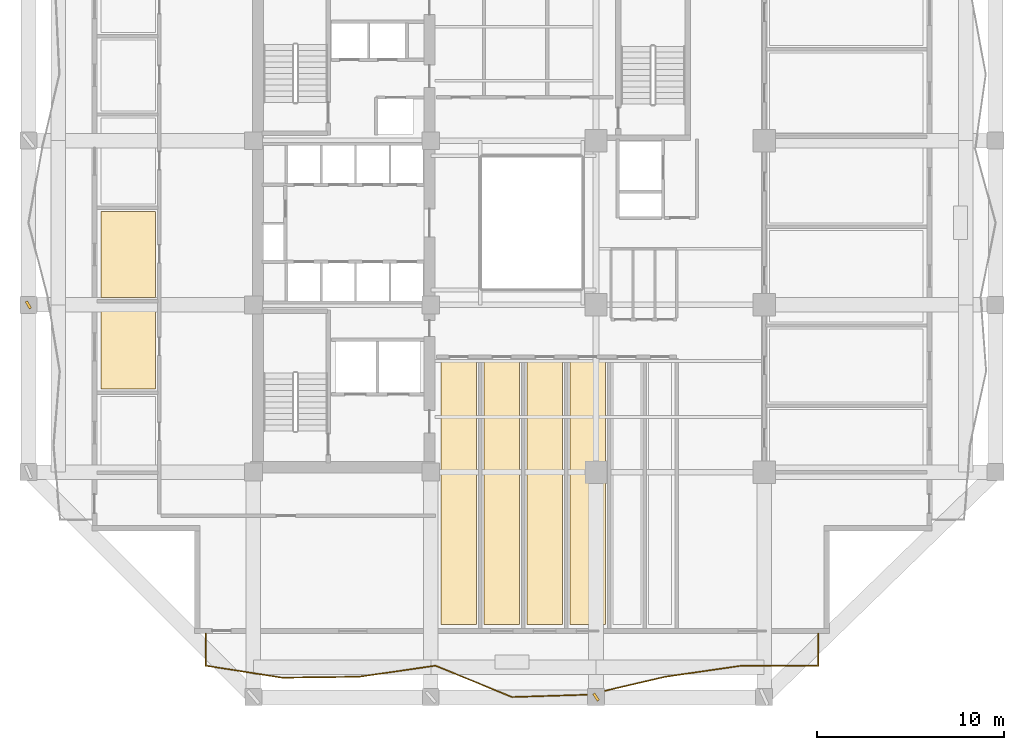
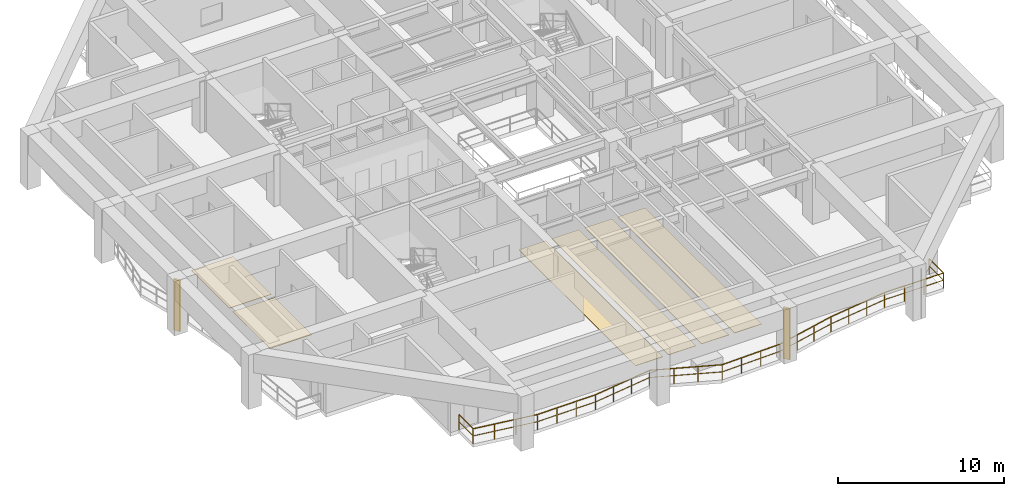
# One storey, part 8 of 13: 6 coverings, 2 shading devices, 1 railing.
"""IFC4 building model written with IfcOpenShell, lengths in metres."""

import ifcopenshell
import ifcopenshell.guid

model = None  # the IFC model being written
_history = None  # IfcOwnerHistory: only IFC2X3 demands one
_inside = {}  # id of a spatial element -> (the spatial element, [elements in it])
_under = {}  # id of a project, library or spatial element -> (it, [spatial elements below it])
_declared = {}  # id of a project -> (the project, [libraries it declares])
_typed = {}  # id of a type object -> (the type object, [elements of that type])
_made_of = {}  # id of a material, layer set ... -> (it, [elements and type objects made of it])


def new_model(schema):
    """Start an empty IFC model of exactly this schema.

    Asked for "IFC4X3", IfcOpenShell would pick the latest addendum, in which some entities
    have other attributes; the version numbers below select the first issue.
    IFC2X3 requires an IfcOwnerHistory on every rooted entity: one is made here for all.
    """
    global model, _history
    if schema == "IFC4X3":
        model = ifcopenshell.file(schema_version=(4, 3, 0, 0))
    else:
        model = ifcopenshell.file(schema=schema)
    _inside.clear()
    _under.clear()
    _declared.clear()
    _typed.clear()
    _made_of.clear()
    _history = None
    if model.schema == "IFC2X3":
        org = make("IfcOrganization", Name="unknown")
        user = make(
            "IfcPersonAndOrganization",
            ThePerson=make("IfcPerson", FamilyName="unknown"),
            TheOrganization=org,
        )
        app = make(
            "IfcApplication",
            ApplicationDeveloper=org,
            Version="unknown",
            ApplicationFullName="unknown",
            ApplicationIdentifier="unknown",
        )
        _history = make(
            "IfcOwnerHistory",
            OwningUser=user,
            OwningApplication=app,
            ChangeAction="ADDED",
            CreationDate=0,
        )
    return model


def make(cls, **values):
    """One entity of the class cls with the attributes given. An attribute that is None is left unset."""
    return model.create_entity(
        cls, **{name: value for name, value in values.items() if value is not None}
    )


def rooted(cls, **values):
    """An entity with a GlobalId (a new one), such as an element, a storey or a relation."""
    return make(cls, GlobalId=ifcopenshell.guid.new(), OwnerHistory=_history, **values)


def si_unit(unit_type, name, prefix=None):
    """IfcSIUnit, for example si_unit("LENGTHUNIT", "METRE", prefix="MILLI")."""
    return make("IfcSIUnit", UnitType=unit_type, Prefix=prefix, Name=name)


def assignment(units):
    """IfcUnitAssignment: the units of a project."""
    return None if units is None else make("IfcUnitAssignment", Units=units)


def point(xyz):
    """IfcCartesianPoint."""
    return None if xyz is None else make("IfcCartesianPoint", Coordinates=xyz)


def direction(xyz):
    """IfcDirection."""
    return None if xyz is None else make("IfcDirection", DirectionRatios=xyz)


def frame(location, z_axis=None, x_axis=None):
    """IfcAxis2Placement3D, a coordinate frame: its origin and axes. An axis left out is left unset."""
    return make(
        "IfcAxis2Placement3D",
        Location=point(location),
        Axis=direction(z_axis),
        RefDirection=direction(x_axis),
    )


def frame_2d(location, x_axis=None):
    """IfcAxis2Placement2D, a coordinate frame in the plane: its origin and x axis."""
    return make(
        "IfcAxis2Placement2D", Location=point(location), RefDirection=direction(x_axis)
    )


def origin():
    """The frame at (0, 0, 0) with its axes left unset."""
    return frame((0.0, 0.0, 0.0))


def origin_2d():
    """The frame at (0, 0) in the plane with its x axis left unset."""
    return frame_2d((0.0, 0.0))


def place(relative_to, where):
    """IfcLocalPlacement: puts the frame where relative to a parent placement (None: the world)."""
    return make(
        "IfcLocalPlacement", PlacementRelTo=relative_to, RelativePlacement=where
    )


def context(
    kind, dimensions, precision=None, world=None, true_north=None, identifier=None
):
    """IfcGeometricRepresentationContext, for example the 3D "Model" context."""
    return make(
        "IfcGeometricRepresentationContext",
        ContextIdentifier=identifier,
        ContextType=kind,
        CoordinateSpaceDimension=dimensions,
        Precision=precision,
        WorldCoordinateSystem=world,
        TrueNorth=true_north,
    )


def subcontext(parent, identifier, kind, view, scale=None):
    """IfcGeometricRepresentationSubContext, for example "Body" below "Model"."""
    return make(
        "IfcGeometricRepresentationSubContext",
        ContextIdentifier=identifier,
        ContextType=kind,
        ParentContext=parent,
        TargetScale=scale,
        TargetView=view,
    )


def project(units=None, contexts=None):
    """IfcProject with its units and contexts."""
    return rooted(
        "IfcProject",
        Name="project",
        RepresentationContexts=contexts,
        UnitsInContext=assignment(units),
    )


def spatial(cls, under=None, at=None, **own):
    """A site, building, storey or space (cls), placed at a placement, below another one or the project."""
    s = rooted(cls, ObjectPlacement=at, **own)
    if under is not None:
        _under.setdefault(under.id(), (under, []))[1].append(s)
    return s


def polyline(points):
    """IfcPolyline through the points."""
    return make("IfcPolyline", Points=[point(p) for p in points])


def profile(cls, at=None, kind="AREA", **sizes):
    """A parametric profile (cls). Its sizes go by their IFC names, for example OverallWidth=200.0."""
    return make(cls, ProfileType=kind, Position=at, **sizes)


def rectangle(**sizes):
    """IfcRectangleProfileDef."""
    return profile("IfcRectangleProfileDef", **sizes)


def outline(outer, holes=None, kind="AREA"):
    """IfcArbitraryClosedProfileDef: a profile drawn as a closed curve; with holes, ...WithVoids."""
    if holes is None:
        return make("IfcArbitraryClosedProfileDef", ProfileType=kind, OuterCurve=outer)
    return make(
        "IfcArbitraryProfileDefWithVoids",
        ProfileType=kind,
        OuterCurve=outer,
        InnerCurves=holes,
    )


def extrude(swept, where, along, depth):
    """IfcExtrudedAreaSolid: the profile swept, set in the frame where, extruded along a direction by depth."""
    return make(
        "IfcExtrudedAreaSolid",
        SweptArea=swept,
        Position=where,
        ExtrudedDirection=direction(along),
        Depth=depth,
    )


def shape(context_of_items, identifier, shape_type, items):
    """IfcShapeRepresentation: the items that make up one representation, for example the "Body"."""
    return make(
        "IfcShapeRepresentation",
        ContextOfItems=context_of_items,
        RepresentationIdentifier=identifier,
        RepresentationType=shape_type,
        Items=items,
    )


def material(Name=None, Category=None):
    """IfcMaterial."""
    return make("IfcMaterial", Name=Name, Category=Category)


def layer(
    of_material, thickness, ventilated=None, Name=None, Category=None, Priority=None
):
    """IfcMaterialLayer: one layer of a wall or slab, of a material (None: an air gap)."""
    return make(
        "IfcMaterialLayer",
        Material=of_material,
        LayerThickness=thickness,
        IsVentilated=ventilated,
        Name=Name,
        Category=Category,
        Priority=Priority,
    )


def layer_set(layers, Name=None):
    """IfcMaterialLayerSet."""
    return make("IfcMaterialLayerSet", MaterialLayers=layers, LayerSetName=Name)


def made_of(thing, what):
    """Note that an element or type object is made of a material, layer set ...; save() writes the relation."""
    if what is not None:
        _made_of.setdefault(what.id(), (what, []))[1].append(thing)
    return thing


def type_object(cls, material=None, **own):
    """A type object (cls), such as IfcWallType, which elements share."""
    return made_of(rooted(cls, **own), material)


def element(
    cls,
    number,
    at=None,
    inside=None,
    cuts=None,
    type_object=None,
    material=None,
    context=None,
    identifier="Body",
    shape_type=None,
    held_by="IfcProductDefinitionShape",
    body=None,
    shapes=None,
    **own,
):
    """One element of the class cls, such as IfcWall. Its Tag is "e" and its number.

    at: its placement. inside: the storey or other place that contains it. cuts: it is an
    opening in that element (IfcRelVoidsElement). A single representation is given by context,
    identifier, shape_type and body (its items); several are given by shapes. held_by: the class
    of the entity that holds the representations. save() writes the other relations.
    """
    e = rooted(cls, Tag="e%d" % number, ObjectPlacement=at, **own)
    if body is not None:
        shapes = [shape(context, identifier, shape_type, body)]
    if shapes is not None:
        e.Representation = make(held_by, Representations=shapes)
    if inside is not None:
        _inside.setdefault(inside.id(), (inside, []))[1].append(e)
    if cuts is not None:
        rooted(
            "IfcRelVoidsElement", RelatingBuildingElement=cuts, RelatedOpeningElement=e
        )
    if type_object is not None:
        _typed.setdefault(type_object.id(), (type_object, []))[1].append(e)
    return made_of(e, material)


def aggregate(whole, parts):
    """IfcRelAggregates: a whole, such as a stair, and the parts it consists of."""
    return rooted("IfcRelAggregates", RelatingObject=whole, RelatedObjects=parts)


def save(model, path):
    """Write the relations noted so far, then the file.

    IfcRelAggregates (storeys below a building ...), IfcRelContainedInSpatialStructure (elements
    in a storey), IfcRelDefinesByType, IfcRelAssociatesMaterial and IfcRelDeclares: one each for
    every whole, place, type object, material and project.
    """
    for whole, parts in _under.values():
        aggregate(whole, parts)
    for where, things in _inside.values():
        rooted(
            "IfcRelContainedInSpatialStructure",
            RelatedElements=things,
            RelatingStructure=where,
        )
    for kind, things in _typed.values():
        rooted("IfcRelDefinesByType", RelatedObjects=things, RelatingType=kind)
    for what, things in _made_of.values():
        rooted("IfcRelAssociatesMaterial", RelatedObjects=things, RelatingMaterial=what)
    for by, libraries in _declared.values():
        rooted("IfcRelDeclares", RelatingContext=by, RelatedDefinitions=libraries)
    model.write(path)


model = new_model("IFC4")

# Units and contexts
model_context = context("Model", 3, precision=1e-05, world=origin(), true_north=direction((0.0, 1.0)))
body_context = subcontext(model_context, "Body", "Model", "MODEL_VIEW")
ifc_project = project(units=[si_unit("LENGTHUNIT", "METRE"), si_unit("AREAUNIT", "SQUARE_METRE"), si_unit("VOLUMEUNIT", "CUBIC_METRE"), si_unit("PLANEANGLEUNIT", "RADIAN"), si_unit("MASSUNIT", "GRAM", prefix="KILO")], contexts=[model_context])

# Site, building, storey
site_placement = place(None, origin())
site = spatial("IfcSite", under=ifc_project, at=site_placement, CompositionType="ELEMENT")
building_placement = place(site_placement, origin())
building = spatial("IfcBuilding", under=site, at=building_placement, Name="Kundavana Baori Tower", CompositionType="ELEMENT")
storey_placement = place(building_placement, frame((0.0, 0.0, 78.0)))
storey = spatial("IfcBuildingStorey", under=building, at=storey_placement, Name="L18", CompositionType="ELEMENT", Elevation=78.0)

# Coverings
ifc_material_1 = material(Name="Honed Kota Stone and Terrazzo Flooring", Category="masonry")
ifc_layer = layer(ifc_material_1, 0.030029296875, Name="COV-INT-FLR")
ifc_layer_set = layer_set([ifc_layer], Name="Honed Kota Stone and Terrazzo Flooring")
covering_type = type_object("IfcCoveringType", Name="COV-INT-FLR", PredefinedType="FLOORING", material=ifc_layer_set)
covering_1_placement = place(storey_placement, origin())
element("IfcCovering", 1, at=covering_1_placement, inside=storey, type_object=covering_type, Name="L18 Room Finished Stone Flooring 2", PredefinedType="FLOORING", context=body_context, shape_type="SweptSolid", body=[
    extrude(outline(polyline([(7.280029296875, 19.699951171875), (10.199951171875, 19.699951171875), (10.199951171875, 24.199951171875), (7.280029296875, 24.199951171875), (7.280029296875, 19.699951171875)])), origin(), (0.0, 0.0, 1.0), 0.030029296875),
])
covering_2_placement = place(storey_placement, origin())
element("IfcCovering", 2, at=covering_2_placement, inside=storey, type_object=covering_type, Name="L18 Room Finished Stone Flooring 3", PredefinedType="FLOORING", context=body_context, shape_type="SweptSolid", body=[
    extrude(outline(polyline([(7.280029296875, 24.60009765625), (10.199951171875, 24.60009765625), (10.199951171875, 29.199951171875), (7.280029296875, 29.199951171875), (7.280029296875, 24.60009765625)])), origin(), (0.0, 0.0, 1.0), 0.030029296875),
])
covering_3_placement = place(storey_placement, origin())
element("IfcCovering", 3, at=covering_3_placement, inside=storey, type_object=covering_type, Name="L18 Room Finished Stone Flooring 7", PredefinedType="FLOORING", context=body_context, shape_type="SweptSolid", body=[
    extrude(outline(polyline([(25.5, 7.080078125), (27.39990234375, 7.080078125), (27.39990234375, 21.199951171875), (25.5, 21.199951171875), (25.5, 7.080078125)])), origin(), (0.0, 0.0, 1.0), 0.030029296875),
])
covering_4_placement = place(storey_placement, origin())
element("IfcCovering", 4, at=covering_4_placement, inside=storey, type_object=covering_type, Name="L18 Room Finished Stone Flooring 8", PredefinedType="FLOORING", context=body_context, shape_type="SweptSolid", body=[
    extrude(outline(polyline([(27.800048828125, 7.080078125), (29.699951171875, 7.080078125), (29.699951171875, 21.199951171875), (27.800048828125, 21.199951171875), (27.800048828125, 7.080078125)])), origin(), (0.0, 0.0, 1.0), 0.030029296875),
])
covering_5_placement = place(storey_placement, origin())
element("IfcCovering", 5, at=covering_5_placement, inside=storey, type_object=covering_type, Name="L18 Room Finished Stone Flooring 9", PredefinedType="FLOORING", context=body_context, shape_type="SweptSolid", body=[
    extrude(outline(polyline([(30.10009765625, 7.080078125), (32.0, 7.080078125), (32.0, 21.199951171875), (30.10009765625, 21.199951171875), (30.10009765625, 7.080078125)])), origin(), (0.0, 0.0, 1.0), 0.030029296875),
])
covering_6_placement = place(storey_placement, origin())
element("IfcCovering", 6, at=covering_6_placement, inside=storey, type_object=covering_type, Name="L18 Room Finished Stone Flooring 10", PredefinedType="FLOORING", context=body_context, shape_type="SweptSolid", body=[
    extrude(outline(polyline([(32.39990234375, 7.080078125), (34.300048828125, 7.080078125), (34.300048828125, 21.199951171875), (32.39990234375, 21.199951171875), (32.39990234375, 7.080078125)])), origin(), (0.0, 0.0, 1.0), 0.030029296875),
])

# Railing
ifc_material_2 = material(Name="Architectural Patinated Bronze Metalwork")
railing_type = type_object("IfcRailingType", Name="RL-BAL-1150", PredefinedType="BALUSTRADE", material=ifc_material_2)
railing_placement = place(storey_placement, frame((45.699951171875, 6.60009765625, 0.0)))
element("IfcRailing", 7, at=railing_placement, inside=storey, type_object=railing_type, Name="L18 Loggia Balcony Balustrade S", PredefinedType="BALUSTRADE", context=body_context, shape_type="SweptSolid", body=[
    extrude(rectangle(XDim=0.048095703125, YDim=0.048095703125, at=origin_2d()), frame((0.0, 0.0, 1.1259765625), z_axis=(0.0, -1.0, 0.0), x_axis=(1.0, 0.0, 0.0)), (0.0, 0.0, 1.0), 1.72021484375),
    extrude(rectangle(XDim=0.03125, YDim=0.03125, at=origin_2d()), frame((0.0, 0.0, 0.597900390625), z_axis=(0.0, -1.0, 0.0), x_axis=(1.0, 0.0, 0.0)), (0.0, 0.0, 1.0), 1.72021484375),
    extrude(rectangle(XDim=0.048095703125, YDim=0.048095703125, at=origin_2d()), frame((0.0, -1.72021484375, 1.1259765625), z_axis=(-1.0, 0.0, 0.0), x_axis=(0.0, -1.0, 0.0)), (0.0, 0.0, 1.0), 4.099853515625),
    extrude(rectangle(XDim=0.03125, YDim=0.03125, at=origin_2d()), frame((0.0, -1.72021484375, 0.597900390625), z_axis=(-1.0, 0.0, 0.0), x_axis=(0.0, -1.0, 0.0)), (0.0, 0.0, 1.0), 4.099853515625),
    extrude(rectangle(XDim=0.048095703125, YDim=0.048095703125, at=origin_2d()), frame((-4.099853515625, -1.72021484375, 1.1259765625), z_axis=(-0.989668235083, -0.143376373464, 0.0), x_axis=(0.143376373464, -0.989668235083, 0.0)), (0.0, 0.0, 1.0), 4.142822265625),
    extrude(rectangle(XDim=0.03125, YDim=0.03125, at=origin_2d()), frame((-4.099853515625, -1.72021484375, 0.597900390625), z_axis=(-0.989668235083, -0.143376373464, 0.0), x_axis=(0.143376373464, -0.989668235083, 0.0)), (0.0, 0.0, 1.0), 4.142822265625),
    extrude(rectangle(XDim=0.048095703125, YDim=0.048095703125, at=origin_2d()), frame((-8.199951171875, -2.314208984375, 1.1259765625), z_axis=(-0.973771877763, -0.227526548073, 0.0), x_axis=(0.227526548073, -0.973771877763, 0.0)), (0.0, 0.0, 1.0), 4.21044921875),
    extrude(rectangle(XDim=0.03125, YDim=0.03125, at=origin_2d()), frame((-8.199951171875, -2.314208984375, 0.597900390625), z_axis=(-0.973771877763, -0.227526548073, 0.0), x_axis=(0.227526548073, -0.973771877763, 0.0)), (0.0, 0.0, 1.0), 4.21044921875),
    extrude(rectangle(XDim=0.048095703125, YDim=0.048095703125, at=origin_2d()), frame((-12.300048828125, -3.272216796875, 1.1259765625), z_axis=(-0.999513526706, -0.031188297981, 0.0), x_axis=(0.031188297981, -0.999513526706, 0.0)), (0.0, 0.0, 1.0), 4.101806640625),
    extrude(rectangle(XDim=0.03125, YDim=0.03125, at=origin_2d()), frame((-12.300048828125, -3.272216796875, 0.597900390625), z_axis=(-0.999513526706, -0.031188297981, 0.0), x_axis=(0.031188297981, -0.999513526706, 0.0)), (0.0, 0.0, 1.0), 4.101806640625),
    extrude(rectangle(XDim=0.048095703125, YDim=0.048095703125, at=origin_2d()), frame((-16.39990234375, -3.400146484375, 1.1259765625), z_axis=(-0.925339682893, 0.379139118613, 0.0), x_axis=(-0.379139118613, -0.925339682893, 0.0)), (0.0, 0.0, 1.0), 4.430908203125),
    extrude(rectangle(XDim=0.03125, YDim=0.03125, at=origin_2d()), frame((-16.39990234375, -3.400146484375, 0.597900390625), z_axis=(-0.925339682893, 0.379139118613, 0.0), x_axis=(-0.379139118613, -0.925339682893, 0.0)), (0.0, 0.0, 1.0), 4.430908203125),
    extrude(rectangle(XDim=0.048095703125, YDim=0.048095703125, at=origin_2d()), frame((-20.5, -1.72021484375, 1.1259765625), z_axis=(-0.989667023568, -0.143384735803, 0.0), x_axis=(0.143384735803, -0.989667023568, 0.0)), (0.0, 0.0, 1.0), 4.142578125),
    extrude(rectangle(XDim=0.03125, YDim=0.03125, at=origin_2d()), frame((-20.5, -1.72021484375, 0.597900390625), z_axis=(-0.989667023568, -0.143384735803, 0.0), x_axis=(0.143384735803, -0.989667023568, 0.0)), (0.0, 0.0, 1.0), 4.142578125),
    extrude(rectangle(XDim=0.048095703125, YDim=0.048095703125, at=origin_2d()), frame((-24.599853515625, -2.314208984375, 1.1259765625), z_axis=(-0.999929095221, -0.011908170718, 0.0), x_axis=(0.011908170718, -0.999929095221, 0.0)), (0.0, 0.0, 1.0), 4.100341796875),
    extrude(rectangle(XDim=0.03125, YDim=0.03125, at=origin_2d()), frame((-24.599853515625, -2.314208984375, 0.597900390625), z_axis=(-0.999929095221, -0.011908170718, 0.0), x_axis=(0.011908170718, -0.999929095221, 0.0)), (0.0, 0.0, 1.0), 4.100341796875),
    extrude(rectangle(XDim=0.048095703125, YDim=0.048095703125, at=origin_2d()), frame((-28.699951171875, -2.363037109375, 1.1259765625), z_axis=(-0.987931708029, 0.15489009094, 0.0), x_axis=(-0.15489009094, -0.987931708029, 0.0)), (0.0, 0.0, 1.0), 4.150146484375),
    extrude(rectangle(XDim=0.03125, YDim=0.03125, at=origin_2d()), frame((-28.699951171875, -2.363037109375, 0.597900390625), z_axis=(-0.987931708029, 0.15489009094, 0.0), x_axis=(-0.15489009094, -0.987931708029, 0.0)), (0.0, 0.0, 1.0), 4.150146484375),
    extrude(rectangle(XDim=0.048095703125, YDim=0.048095703125, at=origin_2d()), frame((-32.800048828125, -1.72021484375, 1.1259765625), z_axis=(0.0, 1.0, 0.0), x_axis=(-1.0, 0.0, 0.0)), (0.0, 0.0, 1.0), 1.72021484375),
    extrude(rectangle(XDim=0.03125, YDim=0.03125, at=origin_2d()), frame((-32.800048828125, -1.72021484375, 0.597900390625), z_axis=(0.0, 1.0, 0.0), x_axis=(-1.0, 0.0, 0.0)), (0.0, 0.0, 1.0), 1.72021484375),
    extrude(rectangle(XDim=0.0419921875, YDim=0.0419921875, at=origin_2d()), origin(), (0.0, 0.0, 1.0), 1.101806640625),
    extrude(rectangle(XDim=0.0419921875, YDim=0.0419921875, at=origin_2d()), frame((0.0, -1.72021484375, 0.0)), (0.0, 0.0, 1.0), 1.101806640625),
    extrude(rectangle(XDim=0.0419921875, YDim=0.0419921875, at=origin_2d()), frame((-1.36669921875, -1.72021484375, 0.0)), (0.0, 0.0, 1.0), 1.101806640625),
    extrude(rectangle(XDim=0.0419921875, YDim=0.0419921875, at=origin_2d()), frame((-2.733154296875, -1.72021484375, 0.0)), (0.0, 0.0, 1.0), 1.101806640625),
    extrude(rectangle(XDim=0.0419921875, YDim=0.0419921875, at=origin_2d()), frame((-4.099853515625, -1.72021484375, 0.0)), (0.0, 0.0, 1.0), 1.101806640625),
    extrude(rectangle(XDim=0.0419921875, YDim=0.0419921875, at=origin_2d()), frame((-5.466552734375, -1.918212890625, 0.0)), (0.0, 0.0, 1.0), 1.101806640625),
    extrude(rectangle(XDim=0.0419921875, YDim=0.0419921875, at=origin_2d()), frame((-6.833251953125, -2.1162109375, 0.0)), (0.0, 0.0, 1.0), 1.101806640625),
    extrude(rectangle(XDim=0.0419921875, YDim=0.0419921875, at=origin_2d()), frame((-8.199951171875, -2.314208984375, 0.0)), (0.0, 0.0, 1.0), 1.101806640625),
    extrude(rectangle(XDim=0.0419921875, YDim=0.0419921875, at=origin_2d()), frame((-9.566650390625, -2.633544921875, 0.0)), (0.0, 0.0, 1.0), 1.101806640625),
    extrude(rectangle(XDim=0.0419921875, YDim=0.0419921875, at=origin_2d()), frame((-10.933349609375, -2.952880859375, 0.0)), (0.0, 0.0, 1.0), 1.101806640625),
    extrude(rectangle(XDim=0.0419921875, YDim=0.0419921875, at=origin_2d()), frame((-12.300048828125, -3.272216796875, 0.0)), (0.0, 0.0, 1.0), 1.101806640625),
    extrude(rectangle(XDim=0.0419921875, YDim=0.0419921875, at=origin_2d()), frame((-13.666748046875, -3.31494140625, 0.0)), (0.0, 0.0, 1.0), 1.101806640625),
    extrude(rectangle(XDim=0.0419921875, YDim=0.0419921875, at=origin_2d()), frame((-15.033203125, -3.357421875, 0.0)), (0.0, 0.0, 1.0), 1.101806640625),
    extrude(rectangle(XDim=0.0419921875, YDim=0.0419921875, at=origin_2d()), frame((-16.39990234375, -3.400146484375, 0.0)), (0.0, 0.0, 1.0), 1.101806640625),
    extrude(rectangle(XDim=0.0419921875, YDim=0.0419921875, at=origin_2d()), frame((-17.7666015625, -2.840087890625, 0.0)), (0.0, 0.0, 1.0), 1.101806640625),
    extrude(rectangle(XDim=0.0419921875, YDim=0.0419921875, at=origin_2d()), frame((-19.13330078125, -2.2802734375, 0.0)), (0.0, 0.0, 1.0), 1.101806640625),
    extrude(rectangle(XDim=0.0419921875, YDim=0.0419921875, at=origin_2d()), frame((-20.5, -1.72021484375, 0.0)), (0.0, 0.0, 1.0), 1.101806640625),
    extrude(rectangle(XDim=0.0419921875, YDim=0.0419921875, at=origin_2d()), frame((-21.86669921875, -1.918212890625, 0.0)), (0.0, 0.0, 1.0), 1.101806640625),
    extrude(rectangle(XDim=0.0419921875, YDim=0.0419921875, at=origin_2d()), frame((-23.233154296875, -2.1162109375, 0.0)), (0.0, 0.0, 1.0), 1.101806640625),
    extrude(rectangle(XDim=0.0419921875, YDim=0.0419921875, at=origin_2d()), frame((-24.599853515625, -2.314208984375, 0.0)), (0.0, 0.0, 1.0), 1.101806640625),
    extrude(rectangle(XDim=0.0419921875, YDim=0.0419921875, at=origin_2d()), frame((-25.966552734375, -2.33056640625, 0.0)), (0.0, 0.0, 1.0), 1.101806640625),
    extrude(rectangle(XDim=0.0419921875, YDim=0.0419921875, at=origin_2d()), frame((-27.333251953125, -2.3466796875, 0.0)), (0.0, 0.0, 1.0), 1.101806640625),
    extrude(rectangle(XDim=0.0419921875, YDim=0.0419921875, at=origin_2d()), frame((-28.699951171875, -2.363037109375, 0.0)), (0.0, 0.0, 1.0), 1.101806640625),
    extrude(rectangle(XDim=0.0419921875, YDim=0.0419921875, at=origin_2d()), frame((-30.066650390625, -2.148681640625, 0.0)), (0.0, 0.0, 1.0), 1.101806640625),
    extrude(rectangle(XDim=0.0419921875, YDim=0.0419921875, at=origin_2d()), frame((-31.433349609375, -1.9345703125, 0.0)), (0.0, 0.0, 1.0), 1.101806640625),
    extrude(rectangle(XDim=0.0419921875, YDim=0.0419921875, at=origin_2d()), frame((-32.800048828125, -1.72021484375, 0.0)), (0.0, 0.0, 1.0), 1.101806640625),
    extrude(rectangle(XDim=0.0419921875, YDim=0.0419921875, at=origin_2d()), frame((-32.800048828125, 0.0, 0.0)), (0.0, 0.0, 1.0), 1.101806640625),
])

# Shading devices
ifc_material_3 = material(Name="Architectural Patinated Bronze Metalwork")
shading_device_type = type_object("IfcShadingDeviceType", Name="SHD-LOUV-450", PredefinedType="SHUTTER", material=ifc_material_3)
for number, where, z_axis, x_axis, name in (
    (8, (33.800048828125, 3.199951171875, 0.0), (0.0, 0.0, 1.0), (0.836381838331, 0.548147261701, 0.0), "L18 Sweeping Dholpur Sandstone Facade Fin 3"),
    (9, (3.39990234375, 24.199951171875, 0.0), (0.0, 0.0, 1.0), (0.871470728289, 0.490447519859, 0.0), "L18 Sweeping Dholpur Sandstone Facade Fin 6"),
):
    element("IfcShadingDevice", number, at=place(storey_placement, frame(where, z_axis=z_axis, x_axis=x_axis)), inside=storey, type_object=shading_device_type, Name=name, PredefinedType="SHUTTER", context=body_context, shape_type="SweptSolid", body=[
        extrude(rectangle(XDim=0.139892578125, YDim=0.449951171875, at=origin_2d()), origin(), (0.0, 0.0, 1.0), 3.739990234375),
    ])

save(model, "model.ifc")
